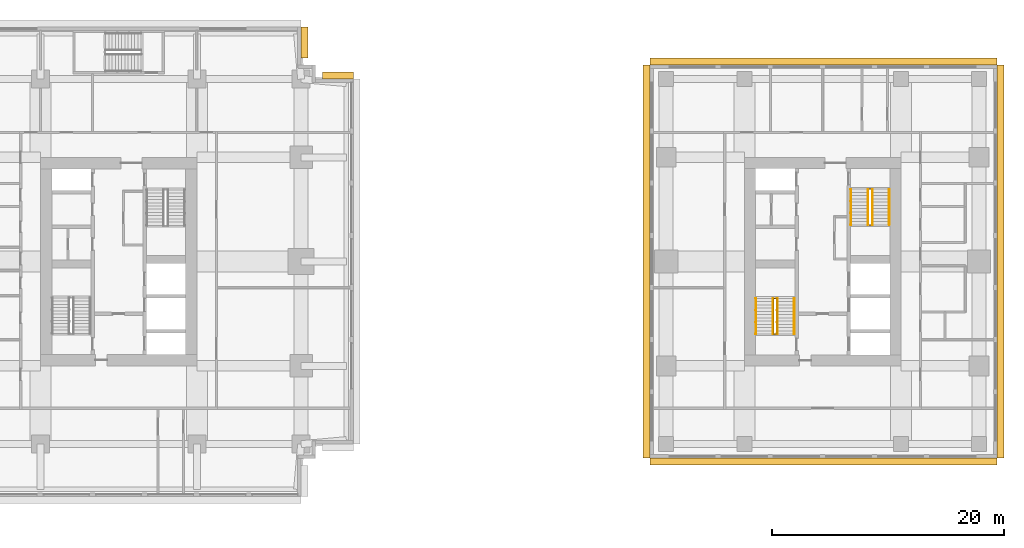
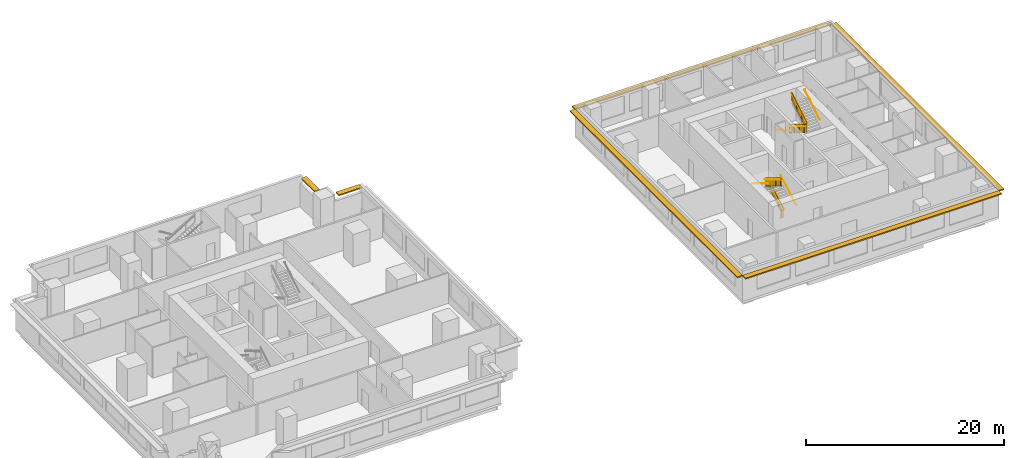
# One storey, part 11 of 11: 10 railings, 6 shading devices.
"""IFC4 building model written with IfcOpenShell, lengths in metres."""

from ifc_helpers import new_model, si_unit, direction, frame, origin, origin_2d, place, context, subcontext, project, spatial, polyline, rectangle, circle, outline, extrude, material, layer, layer_set, type_object, element, save


model = new_model("IFC4")

# Units and contexts
model_context = context("Model", 3, precision=1e-05, world=origin(), true_north=direction((0.0, 1.0)))
body_context = subcontext(model_context, "Body", "Model", "MODEL_VIEW")
ifc_project = project(units=[si_unit("LENGTHUNIT", "METRE"), si_unit("AREAUNIT", "SQUARE_METRE"), si_unit("VOLUMEUNIT", "CUBIC_METRE"), si_unit("PLANEANGLEUNIT", "RADIAN"), si_unit("MASSUNIT", "GRAM", prefix="KILO")], contexts=[model_context])

# Site, building, storey
site_placement = place(None, origin())
site = spatial("IfcSite", under=ifc_project, at=site_placement, CompositionType="ELEMENT")
building_placement = place(site_placement, origin())
building = spatial("IfcBuilding", under=site, at=building_placement, Name="Namib Vertical Campus", CompositionType="ELEMENT")
storey_placement = place(building_placement, frame((0.0, 0.0, 205.0)))
storey = spatial("IfcBuildingStorey", under=building, at=storey_placement, Name="L48", CompositionType="ELEMENT", Elevation=205.0)

# Railings
ifc_material_1 = material(Name="Steel handrail", Category="steel")
railing_type_1 = type_object("IfcRailingType", Name="Handrail 900", PredefinedType="HANDRAIL", material=ifc_material_1)
railing_1_placement = place(storey_placement, frame((78.550048828125, 14.0, 0.166748046875)))
element("IfcRailing", 1, at=railing_1_placement, inside=storey, type_object=railing_type_1, Name="Handrail HR1 B-S1 L48 1", PredefinedType="HANDRAIL", context=body_context, shape_type="SweptSolid", body=[
    extrude(circle(Radius=0.02392578125, at=origin_2d()), frame((0.0, 0.0, 0.8759765625), z_axis=(0.0, 0.859308565015, 0.511457515432), x_axis=(-1.0, 0.0, 0.0)), (0.0, 0.0, 1.0), 3.58447265625),
    extrude(circle(Radius=0.008056640625, at=origin_2d()), frame((0.0, 0.0, 0.8759765625), z_axis=(1.0, 0.0, 0.0), x_axis=(0.0, 0.0, 1.0)), (0.0, 0.0, 1.0), 0.050048828125),
    extrude(circle(Radius=0.008056640625, at=origin_2d()), frame((0.0, 1.026611328125, 1.48681640625), z_axis=(1.0, 0.0, 0.0), x_axis=(0.0, 0.0, 1.0)), (0.0, 0.0, 1.0), 0.050048828125),
    extrude(circle(Radius=0.008056640625, at=origin_2d()), frame((0.0, 2.053466796875, 2.09814453125), z_axis=(1.0, 0.0, 0.0), x_axis=(0.0, 0.0, 1.0)), (0.0, 0.0, 1.0), 0.050048828125),
    extrude(circle(Radius=0.008056640625, at=origin_2d()), frame((0.0, 3.080078125, 2.708984375), z_axis=(1.0, 0.0, 0.0), x_axis=(0.0, 0.0, 1.0)), (0.0, 0.0, 1.0), 0.050048828125),
])
railing_2_placement = place(storey_placement, frame((75.25, 17.080078125, 2.166748046875)))
element("IfcRailing", 2, at=railing_2_placement, inside=storey, type_object=railing_type_1, Name="Handrail HR1 B-S1 L48 2", PredefinedType="HANDRAIL", context=body_context, shape_type="SweptSolid", body=[
    extrude(circle(Radius=0.02392578125, at=origin_2d()), frame((0.0, 0.0, 0.8759765625), z_axis=(0.0, -0.859308565015, 0.511457515432), x_axis=(1.0, 0.0, 0.0)), (0.0, 0.0, 1.0), 3.58447265625),
    extrude(circle(Radius=0.008056640625, at=origin_2d()), frame((0.0, 0.0, 0.8759765625), z_axis=(-1.0, 0.0, 0.0), x_axis=(0.0, 0.0, 1.0)), (0.0, 0.0, 1.0), 0.050048828125),
    extrude(circle(Radius=0.008056640625, at=origin_2d()), frame((0.0, -1.026611328125, 1.48681640625), z_axis=(-1.0, 0.0, 0.0), x_axis=(0.0, 0.0, 1.0)), (0.0, 0.0, 1.0), 0.050048828125),
    extrude(circle(Radius=0.008056640625, at=origin_2d()), frame((0.0, -2.053466796875, 2.09814453125), z_axis=(-1.0, 0.0, 0.0), x_axis=(0.0, 0.0, 1.0)), (0.0, 0.0, 1.0), 0.050048828125),
    extrude(circle(Radius=0.008056640625, at=origin_2d()), frame((0.0, -3.080078125, 2.708984375), z_axis=(-1.0, 0.0, 0.0), x_axis=(0.0, 0.0, 1.0)), (0.0, 0.0, 1.0), 0.050048828125),
])
railing_3_placement = place(storey_placement, frame((77.10009765625, 14.0, 0.166748046875)))
element("IfcRailing", 3, at=railing_3_placement, inside=storey, type_object=railing_type_1, Name="Handrail HR1 B-S1 L48 1 at the well", PredefinedType="HANDRAIL", context=body_context, shape_type="SweptSolid", body=[
    extrude(circle(Radius=0.02392578125, at=origin_2d()), frame((0.0, 0.0, 0.8759765625), z_axis=(0.0, 0.859308565015, 0.511457515432), x_axis=(-1.0, 0.0, 0.0)), (0.0, 0.0, 1.0), 3.58447265625),
    extrude(circle(Radius=0.008056640625, at=origin_2d()), frame((0.0, 0.0, 0.8759765625), z_axis=(-1.0, 0.0, 0.0), x_axis=(0.0, 0.0, 1.0)), (0.0, 0.0, 1.0), 0.0400390625),
    extrude(circle(Radius=0.008056640625, at=origin_2d()), frame((0.0, 1.026611328125, 1.48681640625), z_axis=(-1.0, 0.0, 0.0), x_axis=(0.0, 0.0, 1.0)), (0.0, 0.0, 1.0), 0.0400390625),
    extrude(circle(Radius=0.008056640625, at=origin_2d()), frame((0.0, 2.053466796875, 2.09814453125), z_axis=(-1.0, 0.0, 0.0), x_axis=(0.0, 0.0, 1.0)), (0.0, 0.0, 1.0), 0.0400390625),
    extrude(circle(Radius=0.008056640625, at=origin_2d()), frame((0.0, 3.080078125, 2.708984375), z_axis=(-1.0, 0.0, 0.0), x_axis=(0.0, 0.0, 1.0)), (0.0, 0.0, 1.0), 0.0400390625),
])
railing_4_placement = place(storey_placement, frame((76.699951171875, 17.080078125, 2.166748046875)))
element("IfcRailing", 4, at=railing_4_placement, inside=storey, type_object=railing_type_1, Name="Handrail HR1 B-S1 L48 2 at the well", PredefinedType="HANDRAIL", context=body_context, shape_type="SweptSolid", body=[
    extrude(circle(Radius=0.02392578125, at=origin_2d()), frame((0.0, 0.0, 0.8759765625), z_axis=(0.0, -0.859308565015, 0.511457515432), x_axis=(1.0, 0.0, 0.0)), (0.0, 0.0, 1.0), 3.58447265625),
    extrude(circle(Radius=0.008056640625, at=origin_2d()), frame((0.0, 0.0, 0.8759765625), z_axis=(1.0, 0.0, 0.0), x_axis=(0.0, 0.0, 1.0)), (0.0, 0.0, 1.0), 0.0400390625),
    extrude(circle(Radius=0.008056640625, at=origin_2d()), frame((0.0, -1.026611328125, 1.48681640625), z_axis=(1.0, 0.0, 0.0), x_axis=(0.0, 0.0, 1.0)), (0.0, 0.0, 1.0), 0.0400390625),
    extrude(circle(Radius=0.008056640625, at=origin_2d()), frame((0.0, -2.053466796875, 2.09814453125), z_axis=(1.0, 0.0, 0.0), x_axis=(0.0, 0.0, 1.0)), (0.0, 0.0, 1.0), 0.0400390625),
    extrude(circle(Radius=0.008056640625, at=origin_2d()), frame((0.0, -3.080078125, 2.708984375), z_axis=(1.0, 0.0, 0.0), x_axis=(0.0, 0.0, 1.0)), (0.0, 0.0, 1.0), 0.0400390625),
])
railing_5_placement = place(storey_placement, frame((83.449951171875, 26.5, 0.166748046875)))
element("IfcRailing", 5, at=railing_5_placement, inside=storey, type_object=railing_type_1, Name="Handrail HR1 B-S2 L48 1", PredefinedType="HANDRAIL", context=body_context, shape_type="SweptSolid", body=[
    extrude(circle(Radius=0.02392578125, at=origin_2d()), frame((0.0, 0.0, 0.8759765625), z_axis=(0.0, -0.859308565015, 0.511457515432), x_axis=(1.0, 0.0, 0.0)), (0.0, 0.0, 1.0), 3.58447265625),
    extrude(circle(Radius=0.008056640625, at=origin_2d()), frame((0.0, 0.0, 0.8759765625), z_axis=(-1.0, 0.0, 0.0), x_axis=(0.0, 0.0, 1.0)), (0.0, 0.0, 1.0), 0.050048828125),
    extrude(circle(Radius=0.008056640625, at=origin_2d()), frame((0.0, -1.026611328125, 1.48681640625), z_axis=(-1.0, 0.0, 0.0), x_axis=(0.0, 0.0, 1.0)), (0.0, 0.0, 1.0), 0.050048828125),
    extrude(circle(Radius=0.008056640625, at=origin_2d()), frame((0.0, -2.053466796875, 2.09814453125), z_axis=(-1.0, 0.0, 0.0), x_axis=(0.0, 0.0, 1.0)), (0.0, 0.0, 1.0), 0.050048828125),
    extrude(circle(Radius=0.008056640625, at=origin_2d()), frame((0.0, -3.080078125, 2.708984375), z_axis=(-1.0, 0.0, 0.0), x_axis=(0.0, 0.0, 1.0)), (0.0, 0.0, 1.0), 0.050048828125),
])
railing_6_placement = place(storey_placement, frame((86.75, 23.419921875, 2.166748046875)))
element("IfcRailing", 6, at=railing_6_placement, inside=storey, type_object=railing_type_1, Name="Handrail HR1 B-S2 L48 2", PredefinedType="HANDRAIL", context=body_context, shape_type="SweptSolid", body=[
    extrude(circle(Radius=0.02392578125, at=origin_2d()), frame((0.0, 0.0, 0.8759765625), z_axis=(0.0, 0.859308565015, 0.511457515432), x_axis=(-1.0, 0.0, 0.0)), (0.0, 0.0, 1.0), 3.58447265625),
    extrude(circle(Radius=0.008056640625, at=origin_2d()), frame((0.0, 0.0, 0.8759765625), z_axis=(1.0, 0.0, 0.0), x_axis=(0.0, 0.0, 1.0)), (0.0, 0.0, 1.0), 0.050048828125),
    extrude(circle(Radius=0.008056640625, at=origin_2d()), frame((0.0, 1.026611328125, 1.48681640625), z_axis=(1.0, 0.0, 0.0), x_axis=(0.0, 0.0, 1.0)), (0.0, 0.0, 1.0), 0.050048828125),
    extrude(circle(Radius=0.008056640625, at=origin_2d()), frame((0.0, 2.053466796875, 2.09814453125), z_axis=(1.0, 0.0, 0.0), x_axis=(0.0, 0.0, 1.0)), (0.0, 0.0, 1.0), 0.050048828125),
    extrude(circle(Radius=0.008056640625, at=origin_2d()), frame((0.0, 3.080078125, 2.708984375), z_axis=(1.0, 0.0, 0.0), x_axis=(0.0, 0.0, 1.0)), (0.0, 0.0, 1.0), 0.050048828125),
])
railing_7_placement = place(storey_placement, frame((84.89990234375, 26.5, 0.166748046875)))
element("IfcRailing", 7, at=railing_7_placement, inside=storey, type_object=railing_type_1, Name="Handrail HR1 B-S2 L48 1 at the well", PredefinedType="HANDRAIL", context=body_context, shape_type="SweptSolid", body=[
    extrude(circle(Radius=0.02392578125, at=origin_2d()), frame((0.0, 0.0, 0.8759765625), z_axis=(0.0, -0.859308565015, 0.511457515432), x_axis=(1.0, 0.0, 0.0)), (0.0, 0.0, 1.0), 3.58447265625),
    extrude(circle(Radius=0.008056640625, at=origin_2d()), frame((0.0, 0.0, 0.8759765625), z_axis=(1.0, 0.0, 0.0), x_axis=(0.0, 0.0, 1.0)), (0.0, 0.0, 1.0), 0.0400390625),
    extrude(circle(Radius=0.008056640625, at=origin_2d()), frame((0.0, -1.026611328125, 1.48681640625), z_axis=(1.0, 0.0, 0.0), x_axis=(0.0, 0.0, 1.0)), (0.0, 0.0, 1.0), 0.0400390625),
    extrude(circle(Radius=0.008056640625, at=origin_2d()), frame((0.0, -2.053466796875, 2.09814453125), z_axis=(1.0, 0.0, 0.0), x_axis=(0.0, 0.0, 1.0)), (0.0, 0.0, 1.0), 0.0400390625),
    extrude(circle(Radius=0.008056640625, at=origin_2d()), frame((0.0, -3.080078125, 2.708984375), z_axis=(1.0, 0.0, 0.0), x_axis=(0.0, 0.0, 1.0)), (0.0, 0.0, 1.0), 0.0400390625),
])
railing_8_placement = place(storey_placement, frame((85.300048828125, 23.419921875, 2.166748046875)))
element("IfcRailing", 8, at=railing_8_placement, inside=storey, type_object=railing_type_1, Name="Handrail HR1 B-S2 L48 2 at the well", PredefinedType="HANDRAIL", context=body_context, shape_type="SweptSolid", body=[
    extrude(circle(Radius=0.02392578125, at=origin_2d()), frame((0.0, 0.0, 0.8759765625), z_axis=(0.0, 0.859308565015, 0.511457515432), x_axis=(-1.0, 0.0, 0.0)), (0.0, 0.0, 1.0), 3.58447265625),
    extrude(circle(Radius=0.008056640625, at=origin_2d()), frame((0.0, 0.0, 0.8759765625), z_axis=(-1.0, 0.0, 0.0), x_axis=(0.0, 0.0, 1.0)), (0.0, 0.0, 1.0), 0.0400390625),
    extrude(circle(Radius=0.008056640625, at=origin_2d()), frame((0.0, 1.026611328125, 1.48681640625), z_axis=(-1.0, 0.0, 0.0), x_axis=(0.0, 0.0, 1.0)), (0.0, 0.0, 1.0), 0.0400390625),
    extrude(circle(Radius=0.008056640625, at=origin_2d()), frame((0.0, 2.053466796875, 2.09814453125), z_axis=(-1.0, 0.0, 0.0), x_axis=(0.0, 0.0, 1.0)), (0.0, 0.0, 1.0), 0.0400390625),
    extrude(circle(Radius=0.008056640625, at=origin_2d()), frame((0.0, 3.080078125, 2.708984375), z_axis=(-1.0, 0.0, 0.0), x_axis=(0.0, 0.0, 1.0)), (0.0, 0.0, 1.0), 0.0400390625),
])
ifc_material_2 = material(Name="Steel balustrade", Category="steel")
railing_type_2 = type_object("IfcRailingType", Name="Stair guard 1100", PredefinedType="GUARDRAIL", material=ifc_material_2)
railing_9_placement = place(storey_placement, frame((76.75, 14.0, 0.0)))
element("IfcRailing", 9, at=railing_9_placement, inside=storey, type_object=railing_type_2, Name="Stair guard GR1 B-S1 L48", PredefinedType="GUARDRAIL", context=body_context, shape_type="SweptSolid", body=[
    extrude(circle(Radius=0.02392578125, at=origin_2d()), frame((0.0, 0.0, 1.076171875), z_axis=(1.0, 0.0, 0.0), x_axis=(0.0, 1.0, 0.0)), (0.0, 0.0, 1.0), 0.300048828125),
    extrude(outline(polyline([(0.02099609375, 0.050048828125), (0.279052734375, 0.050048828125), (0.279052734375, 1.052001953125), (0.02099609375, 1.052001953125), (0.02099609375, 0.050048828125)])), frame((0.0, 0.010009765625, 0.0), z_axis=(0.0, -1.0, 0.0), x_axis=(1.0, 0.0, 0.0)), (0.0, 0.0, 1.0), 0.02001953125),
    extrude(circle(Radius=0.02392578125, at=origin_2d()), frame((0.300048828125, 0.0, 1.076171875), z_axis=(0.0, 0.0, 1.0), x_axis=(1.0, 0.0, 0.0)), (0.0, 0.0, 1.0), 0.166748046875),
    extrude(circle(Radius=0.02392578125, at=origin_2d()), frame((0.300048828125, 0.0, 1.24267578125), z_axis=(0.0, 0.859308565015, 0.511457515432), x_axis=(-1.0, 0.0, 0.0)), (0.0, 0.0, 1.0), 3.58447265625),
    extrude(outline(polyline([(0.02099609375, 0.0625), (3.05908203125, 1.870849609375), (3.05908203125, 2.872802734375), (0.02099609375, 1.064453125), (0.02099609375, 0.0625)])), frame((0.2900390625, 0.0, 0.166748046875), z_axis=(1.0, 0.0, 0.0), x_axis=(0.0, 1.0, 0.0)), (0.0, 0.0, 1.0), 0.02001953125),
    extrude(circle(Radius=0.02392578125, at=origin_2d()), frame((0.300048828125, 3.080078125, 3.076171875), z_axis=(-1.0, 0.0, 0.0), x_axis=(0.0, -1.0, 0.0)), (0.0, 0.0, 1.0), 0.300048828125),
    extrude(outline(polyline([(0.02099609375, 0.050048828125), (0.279052734375, 0.050048828125), (0.279052734375, 1.052001953125), (0.02099609375, 1.052001953125), (0.02099609375, 0.050048828125)])), frame((0.300048828125, 3.070068359375, 2.0), z_axis=(0.0, 1.0, 0.0), x_axis=(-1.0, 0.0, 0.0)), (0.0, 0.0, 1.0), 0.02001953125),
    extrude(circle(Radius=0.02392578125, at=origin_2d()), frame((0.0, 3.080078125, 3.076171875), z_axis=(0.0, 0.0, 1.0), x_axis=(1.0, 0.0, 0.0)), (0.0, 0.0, 1.0), 0.166748046875),
    extrude(circle(Radius=0.02392578125, at=origin_2d()), frame((0.0, 3.080078125, 3.24267578125), z_axis=(0.0, -0.859308565015, 0.511457515432), x_axis=(1.0, 0.0, 0.0)), (0.0, 0.0, 1.0), 3.58447265625),
    extrude(outline(polyline([(0.02099609375, 0.0625), (3.05908203125, 1.870849609375), (3.05908203125, 2.872802734375), (0.02099609375, 1.064453125), (0.02099609375, 0.0625)])), frame((0.010009765625, 3.080078125, 2.166748046875), z_axis=(-1.0, 0.0, 0.0), x_axis=(0.0, -1.0, 0.0)), (0.0, 0.0, 1.0), 0.02001953125),
    extrude(circle(Radius=0.02392578125, at=origin_2d()), frame((0.0, 0.0, 5.076171875), z_axis=(0.0, -1.0, 0.0), x_axis=(1.0, 0.0, 0.0)), (0.0, 0.0, 1.0), 0.050048828125),
    extrude(outline(polyline([(0.02099609375, 0.050048828125), (0.029052734375, 0.050048828125), (0.029052734375, 1.052001953125), (0.02099609375, 1.052001953125), (0.02099609375, 0.050048828125)])), frame((0.010009765625, 0.0, 4.0), z_axis=(-1.0, 0.0, 0.0), x_axis=(0.0, -1.0, 0.0)), (0.0, 0.0, 1.0), 0.02001953125),
    extrude(circle(Radius=0.02099609375, at=origin_2d()), origin(), (0.0, 0.0, 1.0), 1.052001953125),
    extrude(circle(Radius=0.02099609375, at=origin_2d()), frame((0.300048828125, 0.0, 0.166748046875)), (0.0, 0.0, 1.0), 1.052001953125),
    extrude(circle(Radius=0.02099609375, at=origin_2d()), frame((0.300048828125, 1.026611328125, 0.666748046875)), (0.0, 0.0, 1.0), 1.1630859375),
    extrude(circle(Radius=0.02099609375, at=origin_2d()), frame((0.300048828125, 2.053466796875, 1.33349609375)), (0.0, 0.0, 1.0), 1.107421875),
    extrude(circle(Radius=0.02099609375, at=origin_2d()), frame((0.300048828125, 3.080078125, 2.0)), (0.0, 0.0, 1.0), 1.052001953125),
    extrude(circle(Radius=0.02099609375, at=origin_2d()), frame((0.0, 3.080078125, 2.166748046875)), (0.0, 0.0, 1.0), 1.052001953125),
    extrude(circle(Radius=0.02099609375, at=origin_2d()), frame((0.0, 2.053466796875, 2.666748046875)), (0.0, 0.0, 1.0), 1.1630859375),
    extrude(circle(Radius=0.02099609375, at=origin_2d()), frame((0.0, 1.026611328125, 3.33349609375)), (0.0, 0.0, 1.0), 1.107421875),
    extrude(circle(Radius=0.02099609375, at=origin_2d()), frame((0.0, 0.0, 4.0)), (0.0, 0.0, 1.0), 1.052001953125),
    extrude(circle(Radius=0.02099609375, at=origin_2d()), frame((0.0, -0.050048828125, 4.0)), (0.0, 0.0, 1.0), 1.052001953125),
])
railing_10_placement = place(storey_placement, frame((85.25, 26.5, 0.0)))
element("IfcRailing", 10, at=railing_10_placement, inside=storey, type_object=railing_type_2, Name="Stair guard GR1 B-S2 L48", PredefinedType="GUARDRAIL", context=body_context, shape_type="SweptSolid", body=[
    extrude(circle(Radius=0.02392578125, at=origin_2d()), frame((0.0, 0.0, 1.076171875), z_axis=(-1.0, 0.0, 0.0), x_axis=(0.0, -1.0, 0.0)), (0.0, 0.0, 1.0), 0.300048828125),
    extrude(outline(polyline([(0.02099609375, 0.050048828125), (0.279052734375, 0.050048828125), (0.279052734375, 1.052001953125), (0.02099609375, 1.052001953125), (0.02099609375, 0.050048828125)])), frame((0.0, -0.010009765625, 0.0), z_axis=(0.0, 1.0, 0.0), x_axis=(-1.0, 0.0, 0.0)), (0.0, 0.0, 1.0), 0.02001953125),
    extrude(circle(Radius=0.02392578125, at=origin_2d()), frame((-0.300048828125, 0.0, 1.076171875), z_axis=(0.0, 0.0, 1.0), x_axis=(1.0, 0.0, 0.0)), (0.0, 0.0, 1.0), 0.166748046875),
    extrude(circle(Radius=0.02392578125, at=origin_2d()), frame((-0.300048828125, 0.0, 1.24267578125), z_axis=(0.0, -0.859308565015, 0.511457515432), x_axis=(1.0, 0.0, 0.0)), (0.0, 0.0, 1.0), 3.58447265625),
    extrude(outline(polyline([(0.02099609375, 0.0625), (3.05908203125, 1.870849609375), (3.05908203125, 2.872802734375), (0.02099609375, 1.064453125), (0.02099609375, 0.0625)])), frame((-0.2900390625, 0.0, 0.166748046875), z_axis=(-1.0, 0.0, 0.0), x_axis=(0.0, -1.0, 0.0)), (0.0, 0.0, 1.0), 0.02001953125),
    extrude(circle(Radius=0.02392578125, at=origin_2d()), frame((-0.300048828125, -3.080078125, 3.076171875), z_axis=(1.0, 0.0, 0.0), x_axis=(0.0, 1.0, 0.0)), (0.0, 0.0, 1.0), 0.300048828125),
    extrude(outline(polyline([(0.02099609375, 0.050048828125), (0.279052734375, 0.050048828125), (0.279052734375, 1.052001953125), (0.02099609375, 1.052001953125), (0.02099609375, 0.050048828125)])), frame((-0.300048828125, -3.070068359375, 2.0), z_axis=(0.0, -1.0, 0.0), x_axis=(1.0, 0.0, 0.0)), (0.0, 0.0, 1.0), 0.02001953125),
    extrude(circle(Radius=0.02392578125, at=origin_2d()), frame((0.0, -3.080078125, 3.076171875), z_axis=(0.0, 0.0, 1.0), x_axis=(1.0, 0.0, 0.0)), (0.0, 0.0, 1.0), 0.166748046875),
    extrude(circle(Radius=0.02392578125, at=origin_2d()), frame((0.0, -3.080078125, 3.24267578125), z_axis=(0.0, 0.859308565015, 0.511457515432), x_axis=(-1.0, 0.0, 0.0)), (0.0, 0.0, 1.0), 3.58447265625),
    extrude(outline(polyline([(0.02099609375, 0.0625), (3.05908203125, 1.870849609375), (3.05908203125, 2.872802734375), (0.02099609375, 1.064453125), (0.02099609375, 0.0625)])), frame((-0.010009765625, -3.080078125, 2.166748046875), z_axis=(1.0, 0.0, 0.0), x_axis=(0.0, 1.0, 0.0)), (0.0, 0.0, 1.0), 0.02001953125),
    extrude(circle(Radius=0.02392578125, at=origin_2d()), frame((0.0, 0.0, 5.076171875), z_axis=(0.0, 1.0, 0.0), x_axis=(-1.0, 0.0, 0.0)), (0.0, 0.0, 1.0), 0.050048828125),
    extrude(outline(polyline([(0.02099609375, 0.050048828125), (0.029052734375, 0.050048828125), (0.029052734375, 1.052001953125), (0.02099609375, 1.052001953125), (0.02099609375, 0.050048828125)])), frame((-0.010009765625, 0.0, 4.0), z_axis=(1.0, 0.0, 0.0), x_axis=(0.0, 1.0, 0.0)), (0.0, 0.0, 1.0), 0.02001953125),
    extrude(circle(Radius=0.02099609375, at=origin_2d()), origin(), (0.0, 0.0, 1.0), 1.052001953125),
    extrude(circle(Radius=0.02099609375, at=origin_2d()), frame((-0.300048828125, 0.0, 0.166748046875)), (0.0, 0.0, 1.0), 1.052001953125),
    extrude(circle(Radius=0.02099609375, at=origin_2d()), frame((-0.300048828125, -1.026611328125, 0.666748046875)), (0.0, 0.0, 1.0), 1.1630859375),
    extrude(circle(Radius=0.02099609375, at=origin_2d()), frame((-0.300048828125, -2.053466796875, 1.33349609375)), (0.0, 0.0, 1.0), 1.107421875),
    extrude(circle(Radius=0.02099609375, at=origin_2d()), frame((-0.300048828125, -3.080078125, 2.0)), (0.0, 0.0, 1.0), 1.052001953125),
    extrude(circle(Radius=0.02099609375, at=origin_2d()), frame((0.0, -3.080078125, 2.166748046875)), (0.0, 0.0, 1.0), 1.052001953125),
    extrude(circle(Radius=0.02099609375, at=origin_2d()), frame((0.0, -2.053466796875, 2.666748046875)), (0.0, 0.0, 1.0), 1.1630859375),
    extrude(circle(Radius=0.02099609375, at=origin_2d()), frame((0.0, -1.026611328125, 3.33349609375)), (0.0, 0.0, 1.0), 1.107421875),
    extrude(circle(Radius=0.02099609375, at=origin_2d()), frame((0.0, 0.0, 4.0)), (0.0, 0.0, 1.0), 1.052001953125),
    extrude(circle(Radius=0.02099609375, at=origin_2d()), frame((0.0, 0.050048828125, 4.0)), (0.0, 0.0, 1.0), 1.052001953125),
])

# Shading devices
ifc_material_3 = material(Name="Concrete C40/50 precast", Category="concrete")
ifc_layer = layer(ifc_material_3, 0.14990234375)
ifc_layer_set = layer_set([ifc_layer], Name="Concrete C40/50 precast")
shading_device_type = type_object("IfcShadingDeviceType", Name="Sunshade hood 600", PredefinedType="SHUTTER", material=ifc_layer_set)
for number, where, z_axis, x_axis, name in (
    (11, (39.16259765625, 36.300048828125, 3.10009765625), (0.0, 0.0, 1.0), (-1.0, 0.0, 0.0), "Sunshade SH3 L48 7"),
    (12, (36.300048828125, 39.16259765625, 3.10009765625), (0.0, 0.0, 1.0), (0.0, 1.0, 0.0), "Sunshade SH3 L48 10"),
):
    element("IfcShadingDevice", number, at=place(storey_placement, frame(where, z_axis=z_axis, x_axis=x_axis)), inside=storey, type_object=shading_device_type, Name=name, PredefinedType="SHUTTER", context=body_context, shape_type="SweptSolid", body=[
        extrude(rectangle(XDim=2.675048828125, YDim=0.60009765625, at=origin_2d()), origin(), (0.0, 0.0, 1.0), 0.14990234375),
    ])
shading_device_1_placement = place(storey_placement, frame((81.074951171875, 3.0, 3.10009765625), z_axis=(0.0, 0.0, 1.0), x_axis=(1.0, 0.0, 0.0)))
element("IfcShadingDevice", 13, at=shading_device_1_placement, inside=storey, type_object=shading_device_type, Name="Sunshade SH3 L48 1", PredefinedType="SHUTTER", context=body_context, shape_type="SweptSolid", body=[
    extrude(rectangle(XDim=29.949951171875, YDim=0.60009765625, at=origin_2d()), origin(), (0.0, 0.0, 1.0), 0.14990234375),
])
shading_device_2_placement = place(storey_placement, frame((96.35009765625, 20.25, 3.10009765625), z_axis=(0.0, 0.0, 1.0), x_axis=(0.0, 1.0, 0.0)))
element("IfcShadingDevice", 14, at=shading_device_2_placement, inside=storey, type_object=shading_device_type, Name="Sunshade SH3 L48 2", PredefinedType="SHUTTER", context=body_context, shape_type="SweptSolid", body=[
    extrude(rectangle(XDim=33.89990234375, YDim=0.60009765625, at=origin_2d()), origin(), (0.0, 0.0, 1.0), 0.14990234375),
])
shading_device_3_placement = place(storey_placement, frame((81.074951171875, 37.5, 3.10009765625), z_axis=(0.0, 0.0, 1.0), x_axis=(-1.0, 0.0, 0.0)))
element("IfcShadingDevice", 15, at=shading_device_3_placement, inside=storey, type_object=shading_device_type, Name="Sunshade SH3 L48 3", PredefinedType="SHUTTER", context=body_context, shape_type="SweptSolid", body=[
    extrude(rectangle(XDim=29.949951171875, YDim=0.60009765625, at=origin_2d()), origin(), (0.0, 0.0, 1.0), 0.14990234375),
])
shading_device_4_placement = place(storey_placement, frame((65.800048828125, 20.25, 3.10009765625), z_axis=(0.0, 0.0, 1.0), x_axis=(0.0, -1.0, 0.0)))
element("IfcShadingDevice", 16, at=shading_device_4_placement, inside=storey, type_object=shading_device_type, Name="Sunshade SH3 L48 4", PredefinedType="SHUTTER", context=body_context, shape_type="SweptSolid", body=[
    extrude(rectangle(XDim=33.89990234375, YDim=0.60009765625, at=origin_2d()), origin(), (0.0, 0.0, 1.0), 0.14990234375),
])

save(model, "model.ifc")
